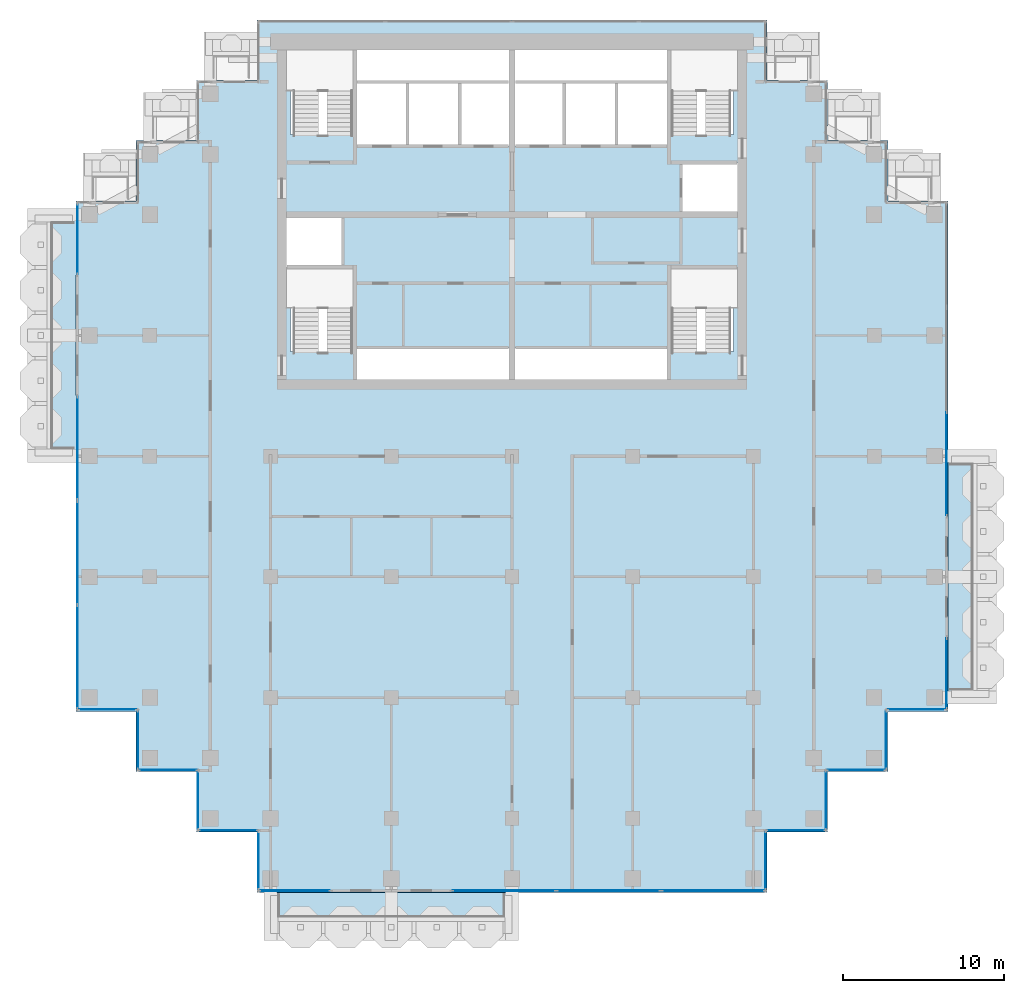
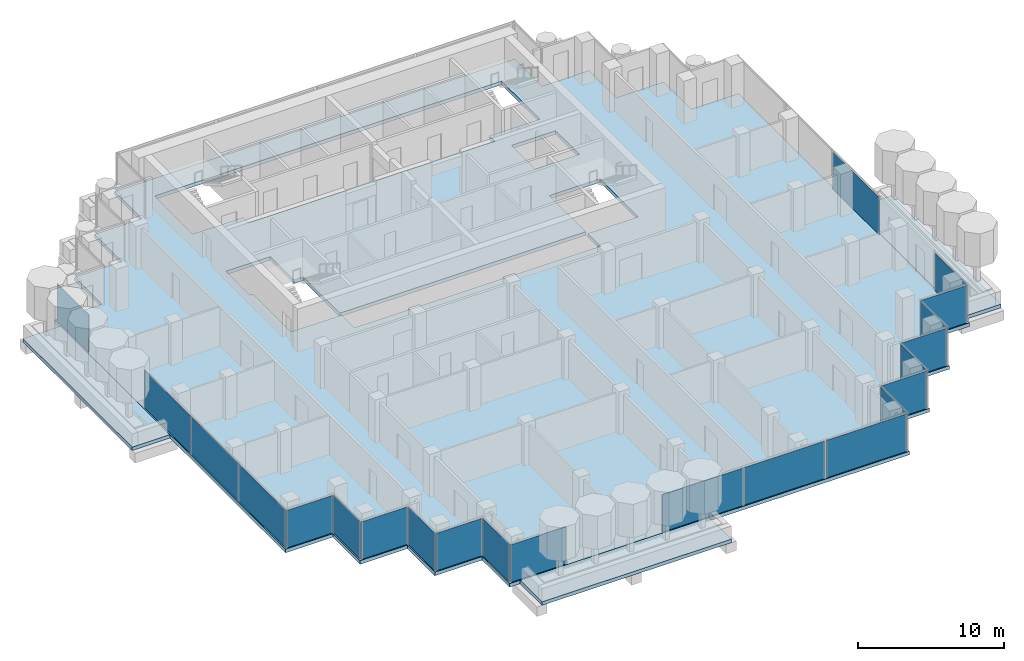
# One storey, part 8 of 18: 22 plates, 4 slabs, 20 elements without a shape of their own.
"""IFC4 building model written with IfcOpenShell, lengths in metres."""

from ifc_helpers import new_model, si_unit, direction, frame, origin, origin_2d, place, context, subcontext, project, spatial, polyline, rectangle, outline, extrude, material, layer, layer_set, type_object, element, aggregate, save


model = new_model("IFC4")

# Units and contexts
model_context = context("Model", 3, precision=1e-05, world=origin(), true_north=direction((0.0, 1.0)))
body_context = subcontext(model_context, "Body", "Model", "MODEL_VIEW")
ifc_project = project(units=[si_unit("LENGTHUNIT", "METRE"), si_unit("AREAUNIT", "SQUARE_METRE"), si_unit("VOLUMEUNIT", "CUBIC_METRE"), si_unit("PLANEANGLEUNIT", "RADIAN"), si_unit("MASSUNIT", "GRAM", prefix="KILO")], contexts=[model_context])

# Site, building, storey
site_placement = place(None, origin())
site = spatial("IfcSite", under=ifc_project, at=site_placement, CompositionType="ELEMENT")
building_placement = place(site_placement, origin())
building = spatial("IfcBuilding", under=site, at=building_placement, Name="Pilkhan Gate Tower", CompositionType="ELEMENT")
storey_placement = place(building_placement, frame((0.0, 0.0, 192.300048828125)))
storey = spatial("IfcBuildingStorey", under=building, at=storey_placement, Name="L49", CompositionType="ELEMENT", Elevation=192.300048828125)

# Slabs
ifc_material_1 = material(Name="Concrete C60/75", Category="concrete")
ifc_layer_1 = layer(ifc_material_1, 0.300048828125)
ifc_layer_set_1 = layer_set([ifc_layer_1], Name="Balcony tray slab TR300")
slab_type_1 = type_object("IfcSlabType", Name="Balcony tray slab TR300", PredefinedType="FLOOR", material=ifc_layer_set_1)
slab_1_placement = place(storey_placement, frame((0.0, 0.0, -0.300048828125)))
element("IfcSlab", 1, at=slab_1_placement, inside=storey, type_object=slab_type_1, Name="Balcony tray L49 S", PredefinedType="FLOOR", context=body_context, shape_type="SweptSolid", body=[
    extrude(outline(polyline([(75.0, 37.39990234375), (75.0, 40.39990234375), (60.0, 40.39990234375), (60.0, 37.39990234375), (75.0, 37.39990234375)])), origin(), (0.0, 0.0, 1.0), 0.300048828125),
])
slab_2_placement = place(storey_placement, frame((0.0, 0.0, -0.300048828125)))
element("IfcSlab", 2, at=slab_2_placement, inside=storey, type_object=slab_type_1, Name="Balcony tray L49 E", PredefinedType="FLOOR", context=body_context, shape_type="SweptSolid", body=[
    extrude(outline(polyline([(105.10009765625, 52.5), (105.10009765625, 67.5), (102.10009765625, 67.5), (102.10009765625, 52.5), (105.10009765625, 52.5)])), origin(), (0.0, 0.0, 1.0), 0.300048828125),
])
slab_3_placement = place(storey_placement, frame((0.0, 0.0, -0.300048828125)))
element("IfcSlab", 3, at=slab_3_placement, inside=storey, type_object=slab_type_1, Name="Balcony tray L49 W", PredefinedType="FLOOR", context=body_context, shape_type="SweptSolid", body=[
    extrude(outline(polyline([(47.89990234375, 67.5), (47.89990234375, 82.5), (44.89990234375, 82.5), (44.89990234375, 67.5), (47.89990234375, 67.5)])), origin(), (0.0, 0.0, 1.0), 0.300048828125),
])
ifc_material_2 = material(Name="Concrete C40/50", Category="concrete")
ifc_layer_2 = layer(ifc_material_2, 0.300048828125)
ifc_layer_set_2 = layer_set([ifc_layer_2], Name="Flat plate slab FP300")
slab_type_2 = type_object("IfcSlabType", Name="Flat plate slab FP300", PredefinedType="FLOOR", material=ifc_layer_set_2)
slab_4_placement = place(storey_placement, frame((0.0, 0.0, -0.300048828125)))
element("IfcSlab", 4, at=slab_4_placement, inside=storey, type_object=slab_type_2, Name="Floor slab L49", PredefinedType="FLOOR", context=body_context, shape_type="SweptSolid", body=[
    extrude(outline(polyline([(98.35009765625, 47.89990234375), (94.60009765625, 47.89990234375), (94.60009765625, 44.14990234375), (90.85009765625, 44.14990234375), (90.85009765625, 40.39990234375), (59.14990234375, 40.39990234375), (59.14990234375, 44.14990234375), (55.39990234375, 44.14990234375), (55.39990234375, 47.89990234375), (51.64990234375, 47.89990234375), (51.64990234375, 51.64990234375), (47.89990234375, 51.64990234375), (47.89990234375, 83.35009765625), (51.64990234375, 83.35009765625), (51.64990234375, 87.10009765625), (55.39990234375, 87.10009765625), (55.39990234375, 90.85009765625), (59.14990234375, 90.85009765625), (59.14990234375, 94.60009765625), (90.85009765625, 94.60009765625), (90.85009765625, 90.85009765625), (94.60009765625, 90.85009765625), (94.60009765625, 87.10009765625), (98.35009765625, 87.10009765625), (98.35009765625, 83.35009765625), (102.10009765625, 83.35009765625), (102.10009765625, 51.64990234375), (98.35009765625, 51.64990234375), (98.35009765625, 47.89990234375)]), holes=[polyline([(75.0, 72.25), (84.75, 72.25), (84.75, 74.0), (88.75, 74.0), (88.75, 79.25), (84.75, 79.25), (84.75, 74.25), (75.0, 74.25), (65.25, 74.25), (65.25, 79.25), (64.5, 79.25), (64.5, 82.5), (61.25, 82.5), (61.0, 82.5), (61.0, 79.25), (61.25, 79.25), (61.25, 74.0), (65.25, 74.0), (65.25, 72.25), (75.0, 72.25)]), polyline([(68.5, 86.75), (71.75, 86.75), (75.0, 86.75), (78.25, 86.75), (81.5, 86.75), (84.75, 86.75), (84.75, 87.5), (88.75, 87.5), (88.75, 92.75), (84.75, 92.75), (75.0, 92.75), (65.25, 92.75), (61.25, 92.75), (61.25, 87.5), (65.25, 87.5), (65.25, 86.75), (68.5, 86.75)]), polyline([(85.5, 85.75), (85.5, 82.5), (88.75, 82.5), (89.0, 82.5), (89.0, 85.75), (88.75, 85.75), (85.5, 85.75)])]), origin(), (0.0, 0.0, 1.0), 0.300048828125),
])

# Curtain wall, plate
ifc_material_3 = material(Name="Pale anodised aluminium, clear low-iron double glazing", Category="aluminium")
curtain_wall_type = type_object("IfcCurtainWallType", Name="Office unitised curtain wall CW-O2", PredefinedType="USERDEFINED", material=ifc_material_3)
curtain_wall_1_placement = place(storey_placement, origin())
curtain_wall_1 = element("IfcCurtainWall", 5, at=curtain_wall_1_placement, inside=storey, type_object=curtain_wall_type, Name="Office unitised curtain wall CW-O2 L49 E", ObjectType="UNITISED CURTAIN WALL", PredefinedType="USERDEFINED")
ifc_material_4 = material(Name="Clear low-iron double glazing", Category="glass")
ifc_layer_3 = layer(ifc_material_4, 0.031982421875)
ifc_layer_set_3 = layer_set([ifc_layer_3], Name="Glass panel CW-O2 32")
plate_type = type_object("IfcPlateType", Name="Glass panel CW-O2 32", PredefinedType="CURTAIN_PANEL", material=ifc_layer_set_3)
plate_1_placement = place(storey_placement, frame((102.0, 54.0, 0.0), z_axis=(0.0, 0.0, 1.0), x_axis=(0.0, 1.0, 0.0)))
plate_1 = element("IfcPlate", 6, at=plate_1_placement, type_object=plate_type, Name="CW-O2 panel 1", PredefinedType="CURTAIN_PANEL", context=body_context, shape_type="SweptSolid", body=[
    extrude(rectangle(XDim=4.3701171875, YDim=0.031982421875, at=origin_2d()), origin(), (0.0, 0.0, 1.0), 3.135009765625),
])
aggregate(curtain_wall_1, [plate_1])

curtain_wall_2_placement = place(storey_placement, origin())
curtain_wall_2 = element("IfcCurtainWall", 7, at=curtain_wall_2_placement, inside=storey, type_object=curtain_wall_type, Name="Office unitised curtain wall CW-O2 L49 E", ObjectType="UNITISED CURTAIN WALL", PredefinedType="USERDEFINED")
plate_2_placement = place(storey_placement, frame((102.0, 67.016357421875, 0.0), z_axis=(0.0, 0.0, 1.0), x_axis=(0.0, 1.0, 0.0)))
plate_2 = element("IfcPlate", 8, at=plate_2_placement, type_object=plate_type, Name="CW-O2 panel 1", PredefinedType="CURTAIN_PANEL", context=body_context, shape_type="SweptSolid", body=[
    extrude(rectangle(XDim=6.402587890625, YDim=0.031982421875, at=origin_2d()), origin(), (0.0, 0.0, 1.0), 3.135009765625),
])
aggregate(curtain_wall_2, [plate_2])

# Curtain wall, plates
curtain_wall_3_placement = place(storey_placement, origin())
curtain_wall_3 = element("IfcCurtainWall", 9, at=curtain_wall_3_placement, inside=storey, type_object=curtain_wall_type, Name="Office unitised curtain wall CW-O2 L49 W", ObjectType="UNITISED CURTAIN WALL", PredefinedType="USERDEFINED")
plate_3_placement = place(storey_placement, frame((48.0, 55.016357421875, 0.0), z_axis=(0.0, 0.0, 1.0), x_axis=(0.0, 1.0, 0.0)))
plate_3 = element("IfcPlate", 10, at=plate_3_placement, type_object=plate_type, Name="CW-O2 panel 1", PredefinedType="CURTAIN_PANEL", context=body_context, shape_type="SweptSolid", body=[
    extrude(rectangle(XDim=6.402587890625, YDim=0.031982421875, at=origin_2d()), origin(), (0.0, 0.0, 1.0), 3.135009765625),
])
plate_4_placement = place(storey_placement, frame((48.0, 61.483642578125, 0.0), z_axis=(0.0, 0.0, 1.0), x_axis=(0.0, 1.0, 0.0)))
plate_4 = element("IfcPlate", 11, at=plate_4_placement, type_object=plate_type, Name="CW-O2 panel 2", PredefinedType="CURTAIN_PANEL", context=body_context, shape_type="SweptSolid", body=[
    extrude(rectangle(XDim=6.402587890625, YDim=0.031982421875, at=origin_2d()), origin(), (0.0, 0.0, 1.0), 3.135009765625),
])
aggregate(curtain_wall_3, [plate_3, plate_4])

# Curtain wall, plate
curtain_wall_4_placement = place(storey_placement, origin())
curtain_wall_4 = element("IfcCurtainWall", 12, at=curtain_wall_4_placement, inside=storey, type_object=curtain_wall_type, Name="Office unitised curtain wall CW-O2 L49 W", ObjectType="UNITISED CURTAIN WALL", PredefinedType="USERDEFINED")
plate_5_placement = place(storey_placement, frame((48.0, 68.0, 0.0), z_axis=(0.0, 0.0, 1.0), x_axis=(0.0, 1.0, 0.0)))
plate_5 = element("IfcPlate", 13, at=plate_5_placement, type_object=plate_type, Name="CW-O2 panel 1", PredefinedType="CURTAIN_PANEL", context=body_context, shape_type="SweptSolid", body=[
    extrude(rectangle(XDim=6.3701171875, YDim=0.031982421875, at=origin_2d()), origin(), (0.0, 0.0, 1.0), 3.135009765625),
])
aggregate(curtain_wall_4, [plate_5])

curtain_wall_5_placement = place(storey_placement, origin())
curtain_wall_5 = element("IfcCurtainWall", 14, at=curtain_wall_5_placement, inside=storey, type_object=curtain_wall_type, Name="Office unitised curtain wall CW-O2 L49 W", ObjectType="UNITISED CURTAIN WALL", PredefinedType="USERDEFINED")
plate_6_placement = place(storey_placement, frame((48.0, 81.0, 0.0), z_axis=(0.0, 0.0, 1.0), x_axis=(0.0, 1.0, 0.0)))
plate_6 = element("IfcPlate", 15, at=plate_6_placement, type_object=plate_type, Name="CW-O2 panel 1", PredefinedType="CURTAIN_PANEL", context=body_context, shape_type="SweptSolid", body=[
    extrude(rectangle(XDim=4.3701171875, YDim=0.031982421875, at=origin_2d()), origin(), (0.0, 0.0, 1.0), 3.135009765625),
])
aggregate(curtain_wall_5, [plate_6])

curtain_wall_6_placement = place(storey_placement, origin())
curtain_wall_6 = element("IfcCurtainWall", 16, at=curtain_wall_6_placement, inside=storey, type_object=curtain_wall_type, Name="Office unitised curtain wall CW-O2 L49 S", ObjectType="UNITISED CURTAIN WALL", PredefinedType="USERDEFINED")
plate_7_placement = place(storey_placement, frame((49.875, 51.75, 0.0), z_axis=(0.0, 0.0, 1.0), x_axis=(1.0, 0.0, 0.0)))
plate_7 = element("IfcPlate", 17, at=plate_7_placement, type_object=plate_type, Name="CW-O2 panel 1", PredefinedType="CURTAIN_PANEL", context=body_context, shape_type="SweptSolid", body=[
    extrude(rectangle(XDim=3.6201171875, YDim=0.031982421875, at=origin_2d()), origin(), (0.0, 0.0, 1.0), 3.135009765625),
])
aggregate(curtain_wall_6, [plate_7])

curtain_wall_7_placement = place(storey_placement, origin())
curtain_wall_7 = element("IfcCurtainWall", 18, at=curtain_wall_7_placement, inside=storey, type_object=curtain_wall_type, Name="Office unitised curtain wall CW-O2 L49 W", ObjectType="UNITISED CURTAIN WALL", PredefinedType="USERDEFINED")
plate_8_placement = place(storey_placement, frame((51.75, 49.875, 0.0), z_axis=(0.0, 0.0, 1.0), x_axis=(0.0, 1.0, 0.0)))
plate_8 = element("IfcPlate", 19, at=plate_8_placement, type_object=plate_type, Name="CW-O2 panel 1", PredefinedType="CURTAIN_PANEL", context=body_context, shape_type="SweptSolid", body=[
    extrude(rectangle(XDim=3.6201171875, YDim=0.031982421875, at=origin_2d()), origin(), (0.0, 0.0, 1.0), 3.135009765625),
])
aggregate(curtain_wall_7, [plate_8])

curtain_wall_8_placement = place(storey_placement, origin())
curtain_wall_8 = element("IfcCurtainWall", 20, at=curtain_wall_8_placement, inside=storey, type_object=curtain_wall_type, Name="Office unitised curtain wall CW-O2 L49 S", ObjectType="UNITISED CURTAIN WALL", PredefinedType="USERDEFINED")
plate_9_placement = place(storey_placement, frame((53.625, 48.0, 0.0), z_axis=(0.0, 0.0, 1.0), x_axis=(1.0, 0.0, 0.0)))
plate_9 = element("IfcPlate", 21, at=plate_9_placement, type_object=plate_type, Name="CW-O2 panel 1", PredefinedType="CURTAIN_PANEL", context=body_context, shape_type="SweptSolid", body=[
    extrude(rectangle(XDim=3.6201171875, YDim=0.031982421875, at=origin_2d()), origin(), (0.0, 0.0, 1.0), 3.135009765625),
])
aggregate(curtain_wall_8, [plate_9])

curtain_wall_9_placement = place(storey_placement, origin())
curtain_wall_9 = element("IfcCurtainWall", 22, at=curtain_wall_9_placement, inside=storey, type_object=curtain_wall_type, Name="Office unitised curtain wall CW-O2 L49 W", ObjectType="UNITISED CURTAIN WALL", PredefinedType="USERDEFINED")
plate_10_placement = place(storey_placement, frame((55.5, 46.125, 0.0), z_axis=(0.0, 0.0, 1.0), x_axis=(0.0, 1.0, 0.0)))
plate_10 = element("IfcPlate", 23, at=plate_10_placement, type_object=plate_type, Name="CW-O2 panel 1", PredefinedType="CURTAIN_PANEL", context=body_context, shape_type="SweptSolid", body=[
    extrude(rectangle(XDim=3.6201171875, YDim=0.031982421875, at=origin_2d()), origin(), (0.0, 0.0, 1.0), 3.135009765625),
])
aggregate(curtain_wall_9, [plate_10])

curtain_wall_10_placement = place(storey_placement, origin())
curtain_wall_10 = element("IfcCurtainWall", 24, at=curtain_wall_10_placement, inside=storey, type_object=curtain_wall_type, Name="Office unitised curtain wall CW-O2 L49 S", ObjectType="UNITISED CURTAIN WALL", PredefinedType="USERDEFINED")
plate_11_placement = place(storey_placement, frame((57.375, 44.25, 0.0), z_axis=(0.0, 0.0, 1.0), x_axis=(1.0, 0.0, 0.0)))
plate_11 = element("IfcPlate", 25, at=plate_11_placement, type_object=plate_type, Name="CW-O2 panel 1", PredefinedType="CURTAIN_PANEL", context=body_context, shape_type="SweptSolid", body=[
    extrude(rectangle(XDim=3.6201171875, YDim=0.031982421875, at=origin_2d()), origin(), (0.0, 0.0, 1.0), 3.135009765625),
])
aggregate(curtain_wall_10, [plate_11])

curtain_wall_11_placement = place(storey_placement, origin())
curtain_wall_11 = element("IfcCurtainWall", 26, at=curtain_wall_11_placement, inside=storey, type_object=curtain_wall_type, Name="Office unitised curtain wall CW-O2 L49 W", ObjectType="UNITISED CURTAIN WALL", PredefinedType="USERDEFINED")
plate_12_placement = place(storey_placement, frame((59.25, 42.375, 0.0), z_axis=(0.0, 0.0, 1.0), x_axis=(0.0, 1.0, 0.0)))
plate_12 = element("IfcPlate", 27, at=plate_12_placement, type_object=plate_type, Name="CW-O2 panel 1", PredefinedType="CURTAIN_PANEL", context=body_context, shape_type="SweptSolid", body=[
    extrude(rectangle(XDim=3.6201171875, YDim=0.031982421875, at=origin_2d()), origin(), (0.0, 0.0, 1.0), 3.135009765625),
])
aggregate(curtain_wall_11, [plate_12])

curtain_wall_12_placement = place(storey_placement, origin())
curtain_wall_12 = element("IfcCurtainWall", 28, at=curtain_wall_12_placement, inside=storey, type_object=curtain_wall_type, Name="Office unitised curtain wall CW-O2 L49 S", ObjectType="UNITISED CURTAIN WALL", PredefinedType="USERDEFINED")
plate_13_placement = place(storey_placement, frame((61.5, 40.5, 0.0), z_axis=(0.0, 0.0, 1.0), x_axis=(1.0, 0.0, 0.0)))
plate_13 = element("IfcPlate", 29, at=plate_13_placement, type_object=plate_type, Name="CW-O2 panel 1", PredefinedType="CURTAIN_PANEL", context=body_context, shape_type="SweptSolid", body=[
    extrude(rectangle(XDim=4.3701171875, YDim=0.031982421875, at=origin_2d()), origin(), (0.0, 0.0, 1.0), 3.135009765625),
])
aggregate(curtain_wall_12, [plate_13])

# Curtain wall, plates
curtain_wall_13_placement = place(storey_placement, origin())
curtain_wall_13 = element("IfcCurtainWall", 30, at=curtain_wall_13_placement, inside=storey, type_object=curtain_wall_type, Name="Office unitised curtain wall CW-O2 L49 S", ObjectType="UNITISED CURTAIN WALL", PredefinedType="USERDEFINED")
plate_14_placement = place(storey_placement, frame((74.516357421875, 40.5, 0.0), z_axis=(0.0, 0.0, 1.0), x_axis=(1.0, 0.0, 0.0)))
plate_14 = element("IfcPlate", 31, at=plate_14_placement, type_object=plate_type, Name="CW-O2 panel 1", PredefinedType="CURTAIN_PANEL", context=body_context, shape_type="SweptSolid", body=[
    extrude(rectangle(XDim=6.402587890625, YDim=0.031982421875, at=origin_2d()), origin(), (0.0, 0.0, 1.0), 3.135009765625),
])
plate_15_placement = place(storey_placement, frame((80.983642578125, 40.5, 0.0), z_axis=(0.0, 0.0, 1.0), x_axis=(1.0, 0.0, 0.0)))
plate_15 = element("IfcPlate", 32, at=plate_15_placement, type_object=plate_type, Name="CW-O2 panel 2", PredefinedType="CURTAIN_PANEL", context=body_context, shape_type="SweptSolid", body=[
    extrude(rectangle(XDim=6.402587890625, YDim=0.031982421875, at=origin_2d()), origin(), (0.0, 0.0, 1.0), 3.135009765625),
])
aggregate(curtain_wall_13, [plate_14, plate_15])

# Curtain wall, plate
curtain_wall_14_placement = place(storey_placement, origin())
curtain_wall_14 = element("IfcCurtainWall", 33, at=curtain_wall_14_placement, inside=storey, type_object=curtain_wall_type, Name="Office unitised curtain wall CW-O2 L49 S", ObjectType="UNITISED CURTAIN WALL", PredefinedType="USERDEFINED")
plate_16_placement = place(storey_placement, frame((87.5, 40.5, 0.0), z_axis=(0.0, 0.0, 1.0), x_axis=(1.0, 0.0, 0.0)))
plate_16 = element("IfcPlate", 34, at=plate_16_placement, type_object=plate_type, Name="CW-O2 panel 1", PredefinedType="CURTAIN_PANEL", context=body_context, shape_type="SweptSolid", body=[
    extrude(rectangle(XDim=6.3701171875, YDim=0.031982421875, at=origin_2d()), origin(), (0.0, 0.0, 1.0), 3.135009765625),
])
aggregate(curtain_wall_14, [plate_16])

curtain_wall_15_placement = place(storey_placement, origin())
curtain_wall_15 = element("IfcCurtainWall", 35, at=curtain_wall_15_placement, inside=storey, type_object=curtain_wall_type, Name="Office unitised curtain wall CW-O2 L49 E", ObjectType="UNITISED CURTAIN WALL", PredefinedType="USERDEFINED")
plate_17_placement = place(storey_placement, frame((90.75, 42.375, 0.0), z_axis=(0.0, 0.0, 1.0), x_axis=(0.0, 1.0, 0.0)))
plate_17 = element("IfcPlate", 36, at=plate_17_placement, type_object=plate_type, Name="CW-O2 panel 1", PredefinedType="CURTAIN_PANEL", context=body_context, shape_type="SweptSolid", body=[
    extrude(rectangle(XDim=3.6201171875, YDim=0.031982421875, at=origin_2d()), origin(), (0.0, 0.0, 1.0), 3.135009765625),
])
aggregate(curtain_wall_15, [plate_17])

curtain_wall_16_placement = place(storey_placement, origin())
curtain_wall_16 = element("IfcCurtainWall", 37, at=curtain_wall_16_placement, inside=storey, type_object=curtain_wall_type, Name="Office unitised curtain wall CW-O2 L49 S", ObjectType="UNITISED CURTAIN WALL", PredefinedType="USERDEFINED")
plate_18_placement = place(storey_placement, frame((92.625, 44.25, 0.0), z_axis=(0.0, 0.0, 1.0), x_axis=(1.0, 0.0, 0.0)))
plate_18 = element("IfcPlate", 38, at=plate_18_placement, type_object=plate_type, Name="CW-O2 panel 1", PredefinedType="CURTAIN_PANEL", context=body_context, shape_type="SweptSolid", body=[
    extrude(rectangle(XDim=3.6201171875, YDim=0.031982421875, at=origin_2d()), origin(), (0.0, 0.0, 1.0), 3.135009765625),
])
aggregate(curtain_wall_16, [plate_18])

curtain_wall_17_placement = place(storey_placement, origin())
curtain_wall_17 = element("IfcCurtainWall", 39, at=curtain_wall_17_placement, inside=storey, type_object=curtain_wall_type, Name="Office unitised curtain wall CW-O2 L49 E", ObjectType="UNITISED CURTAIN WALL", PredefinedType="USERDEFINED")
plate_19_placement = place(storey_placement, frame((94.5, 46.125, 0.0), z_axis=(0.0, 0.0, 1.0), x_axis=(0.0, 1.0, 0.0)))
plate_19 = element("IfcPlate", 40, at=plate_19_placement, type_object=plate_type, Name="CW-O2 panel 1", PredefinedType="CURTAIN_PANEL", context=body_context, shape_type="SweptSolid", body=[
    extrude(rectangle(XDim=3.6201171875, YDim=0.031982421875, at=origin_2d()), origin(), (0.0, 0.0, 1.0), 3.135009765625),
])
aggregate(curtain_wall_17, [plate_19])

curtain_wall_18_placement = place(storey_placement, origin())
curtain_wall_18 = element("IfcCurtainWall", 41, at=curtain_wall_18_placement, inside=storey, type_object=curtain_wall_type, Name="Office unitised curtain wall CW-O2 L49 S", ObjectType="UNITISED CURTAIN WALL", PredefinedType="USERDEFINED")
plate_20_placement = place(storey_placement, frame((96.375, 48.0, 0.0), z_axis=(0.0, 0.0, 1.0), x_axis=(1.0, 0.0, 0.0)))
plate_20 = element("IfcPlate", 42, at=plate_20_placement, type_object=plate_type, Name="CW-O2 panel 1", PredefinedType="CURTAIN_PANEL", context=body_context, shape_type="SweptSolid", body=[
    extrude(rectangle(XDim=3.6201171875, YDim=0.031982421875, at=origin_2d()), origin(), (0.0, 0.0, 1.0), 3.135009765625),
])
aggregate(curtain_wall_18, [plate_20])

curtain_wall_19_placement = place(storey_placement, origin())
curtain_wall_19 = element("IfcCurtainWall", 43, at=curtain_wall_19_placement, inside=storey, type_object=curtain_wall_type, Name="Office unitised curtain wall CW-O2 L49 E", ObjectType="UNITISED CURTAIN WALL", PredefinedType="USERDEFINED")
plate_21_placement = place(storey_placement, frame((98.25, 49.875, 0.0), z_axis=(0.0, 0.0, 1.0), x_axis=(0.0, 1.0, 0.0)))
plate_21 = element("IfcPlate", 44, at=plate_21_placement, type_object=plate_type, Name="CW-O2 panel 1", PredefinedType="CURTAIN_PANEL", context=body_context, shape_type="SweptSolid", body=[
    extrude(rectangle(XDim=3.6201171875, YDim=0.031982421875, at=origin_2d()), origin(), (0.0, 0.0, 1.0), 3.135009765625),
])
aggregate(curtain_wall_19, [plate_21])

curtain_wall_20_placement = place(storey_placement, origin())
curtain_wall_20 = element("IfcCurtainWall", 45, at=curtain_wall_20_placement, inside=storey, type_object=curtain_wall_type, Name="Office unitised curtain wall CW-O2 L49 S", ObjectType="UNITISED CURTAIN WALL", PredefinedType="USERDEFINED")
plate_22_placement = place(storey_placement, frame((100.125, 51.75, 0.0), z_axis=(0.0, 0.0, 1.0), x_axis=(1.0, 0.0, 0.0)))
plate_22 = element("IfcPlate", 46, at=plate_22_placement, type_object=plate_type, Name="CW-O2 panel 1", PredefinedType="CURTAIN_PANEL", context=body_context, shape_type="SweptSolid", body=[
    extrude(rectangle(XDim=3.6201171875, YDim=0.031982421875, at=origin_2d()), origin(), (0.0, 0.0, 1.0), 3.135009765625),
])
aggregate(curtain_wall_20, [plate_22])

save(model, "model.ifc")
